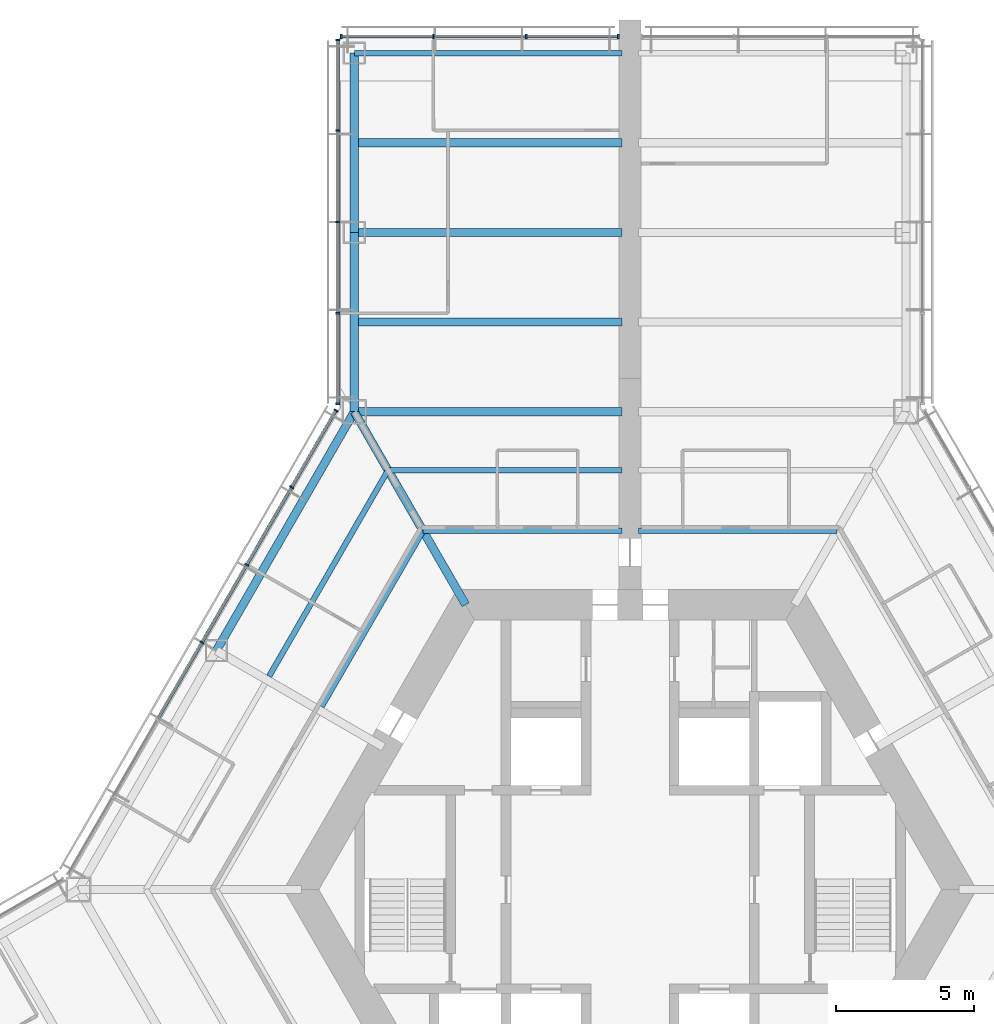
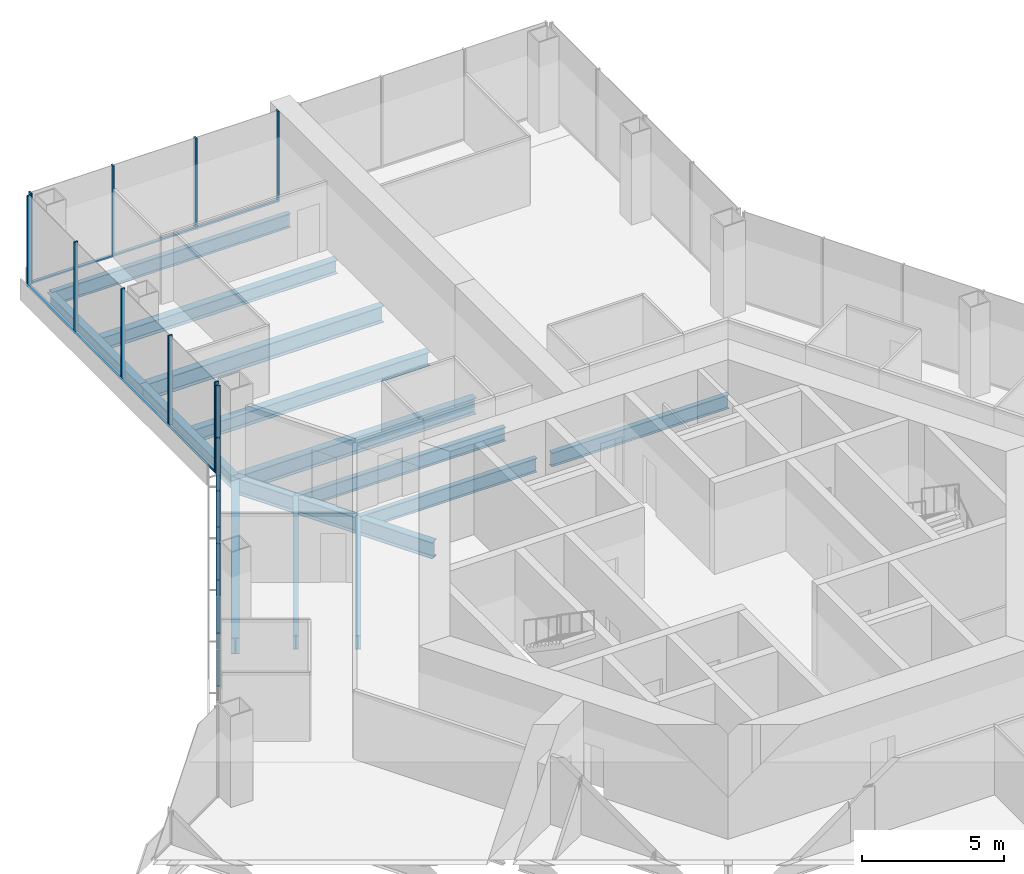
# One storey, part 7 of 18: 24 members, 14 beams, 3 elements without a shape of their own.
"""IFC4 building model written with IfcOpenShell, lengths in metres."""

from ifc_helpers import new_model, si_unit, direction, frame, origin, origin_2d, place, context, subcontext, project, spatial, rectangle, i_section, extrude, material, material_profile, profile_set, type_object, element, aggregate, save


model = new_model("IFC4")

# Units and contexts
model_context = context("Model", 3, precision=1e-05, world=origin(), true_north=direction((0.0, 1.0)))
body_context = subcontext(model_context, "Body", "Model", "MODEL_VIEW")
ifc_project = project(units=[si_unit("LENGTHUNIT", "METRE"), si_unit("AREAUNIT", "SQUARE_METRE"), si_unit("VOLUMEUNIT", "CUBIC_METRE"), si_unit("PLANEANGLEUNIT", "RADIAN"), si_unit("MASSUNIT", "GRAM", prefix="KILO")], contexts=[model_context])

# Site, building, storey
site_placement = place(None, origin())
site = spatial("IfcSite", under=ifc_project, at=site_placement, CompositionType="ELEMENT")
building_placement = place(site_placement, origin())
building = spatial("IfcBuilding", under=site, at=building_placement, Name="Kasaneha Research Tower", CompositionType="ELEMENT")
storey_placement = place(building_placement, frame((0.0, 0.0, 108.0)))
storey = spatial("IfcBuildingStorey", under=building, at=storey_placement, Name="L27", CompositionType="ELEMENT", Elevation=108.0)

# Beams
ifc_material_1 = material(Name="Steel SN490B", Category="steel")
ifc_material_profile_1 = material_profile(ifc_material_1, i_section(OverallWidth=0.199951171875, OverallDepth=0.60009765625, WebThickness=0.010986328125, FlangeThickness=0.01708984375, FilletRadius=0.012939453125, at=origin_2d()), Name="H-600x200x11x17")
ifc_profile_set_1 = profile_set([ifc_material_profile_1], Name="Steel SN490B")
beam_type_1 = type_object("IfcBeamType", Name="B1-3 secondary beam H-600x200x11x17", PredefinedType="JOIST", material=ifc_profile_set_1)
for number, where, z_axis, x_axis, name in (
    (1, (7.505615234375, 13.0, -0.449951171875), (-1.0, 0.0, 0.0), (0.0, -1.0, 0.0), "Secondary beam RS090L1 L27"),
    (2, (-7.505615234375, 13.0, -0.449951171875), (1.0, 0.0, 0.0), (0.0, 1.0, 0.0), "Secondary beam RS090R1 L27"),
):
    element("IfcBeam", number, at=place(storey_placement, frame(where, z_axis=z_axis, x_axis=x_axis)), inside=storey, type_object=beam_type_1, Name=name, PredefinedType="JOIST", context=body_context, shape_type="SweptSolid", body=[
        extrude(i_section(OverallWidth=0.199951171875, OverallDepth=0.60009765625, WebThickness=0.010986328125, FlangeThickness=0.01708984375, FilletRadius=0.012939453125, at=origin_2d()), origin(), (0.0, 0.0, 1.0), 7.20556640625),
    ])
beam_1_placement = place(storey_placement, frame((-8.775634765625, 15.199951171875, -0.449951171875), z_axis=(1.0, 0.0, 0.0), x_axis=(0.0, 1.0, 0.0)))
element("IfcBeam", 3, at=beam_1_placement, inside=storey, type_object=beam_type_1, Name="Secondary beam RS090R2 L27", PredefinedType="JOIST", context=body_context, shape_type="SweptSolid", body=[
    extrude(i_section(OverallWidth=0.199951171875, OverallDepth=0.60009765625, WebThickness=0.010986328125, FlangeThickness=0.01708984375, FilletRadius=0.012939453125, at=origin_2d()), origin(), (0.0, 0.0, 1.0), 8.4755859375),
])
beam_2_placement = place(storey_placement, frame((-7.505615234375, 13.0, -0.449951171875), z_axis=(-0.499994443168, -0.866028611999, 0.0), x_axis=(0.866028611999, -0.499994443168, 0.0)))
element("IfcBeam", 4, at=beam_2_placement, inside=storey, type_object=beam_type_1, Name="Secondary beam RS150L1 L27", PredefinedType="JOIST", context=body_context, shape_type="SweptSolid", body=[
    extrude(i_section(OverallWidth=0.199951171875, OverallDepth=0.60009765625, WebThickness=0.010986328125, FlangeThickness=0.01708984375, FilletRadius=0.012939453125, at=origin_2d()), origin(), (0.0, 0.0, 1.0), 7.35546875),
])
beam_3_placement = place(storey_placement, frame((-8.775634765625, 15.199951171875, -0.449951171875), z_axis=(-0.500017275495, -0.866015429543, 0.0), x_axis=(0.866015429543, -0.500017275495, 0.0)))
element("IfcBeam", 5, at=beam_3_placement, inside=storey, type_object=beam_type_1, Name="Secondary beam RS150L2 L27", PredefinedType="JOIST", context=body_context, shape_type="SweptSolid", body=[
    extrude(i_section(OverallWidth=0.199951171875, OverallDepth=0.60009765625, WebThickness=0.010986328125, FlangeThickness=0.01708984375, FilletRadius=0.012939453125, at=origin_2d()), origin(), (0.0, 0.0, 1.0), 8.625732421875),
])
ifc_material_2 = material(Name="Steel SN490B", Category="steel")
ifc_material_profile_2 = material_profile(ifc_material_2, i_section(OverallWidth=0.300048828125, OverallDepth=0.58203125, WebThickness=0.011962890625, FlangeThickness=0.01708984375, FilletRadius=0.012939453125, at=origin_2d()), Name="H-582x300x12x17")
ifc_profile_set_2 = profile_set([ifc_material_profile_2], Name="Steel SN490B")
beam_type_2 = type_object("IfcBeamType", Name="B2-3 secondary beam H-582x300x12x17", PredefinedType="JOIST", material=ifc_profile_set_2)
for number, where, z_axis, x_axis, name in (
    (6, (-10.0, 20.570556640625, -0.44091796875), (1.0, 0.0, 0.0), (0.0, 1.0, 0.0), "Secondary beam WBAN1 L27"),
    (7, (-10.0, 27.070556640625, -0.44091796875), (1.0, 0.0, 0.0), (0.0, 1.0, 0.0), "Secondary beam WBAN2 L27"),
):
    element("IfcBeam", number, at=place(storey_placement, frame(where, z_axis=z_axis, x_axis=x_axis)), inside=storey, type_object=beam_type_2, Name=name, PredefinedType="JOIST", context=body_context, shape_type="SweptSolid", body=[
        extrude(i_section(OverallWidth=0.300048828125, OverallDepth=0.58203125, WebThickness=0.011962890625, FlangeThickness=0.01708984375, FilletRadius=0.012939453125, at=origin_2d()), origin(), (0.0, 0.0, 1.0), 9.699951171875),
    ])

# Curtain wall, members
ifc_material_3 = material(Name="Glass and aluminium", Category="aluminium")
curtain_wall_type = type_object("IfcCurtainWallType", Name="Low-rise office curtain wall", PredefinedType="USERDEFINED", material=ifc_material_3)
curtain_wall_1_placement = place(storey_placement, origin())
curtain_wall_1 = element("IfcCurtainWall", 8, at=curtain_wall_1_placement, inside=storey, type_object=curtain_wall_type, Name="CW-O1 L27 run 10a", ObjectType="UNITISED CURTAIN WALL", PredefinedType="USERDEFINED")
ifc_material_4 = material(Name="Aluminium 6063-T6", Category="aluminium")
ifc_material_profile_3 = material_profile(ifc_material_4, rectangle(XDim=0.06005859375, YDim=0.159912109375, at=origin_2d()), Name="CW-O1 mullion 60x160")
ifc_profile_set_3 = profile_set([ifc_material_profile_3], Name="Aluminium 6063-T6")
member_type_1 = type_object("IfcMemberType", Name="CW-O1 mullion", PredefinedType="MULLION", material=ifc_profile_set_3)
member_1_placement = place(storey_placement, frame((-0.429931640625, 30.92041015625, 0.0), z_axis=(0.0, 0.0, 1.0), x_axis=(-1.0, 0.0, 0.0)))
member_1 = element("IfcMember", 9, at=member_1_placement, type_object=member_type_1, Name="CW-O1 mullion 1", PredefinedType="MULLION", context=body_context, shape_type="SweptSolid", body=[
    extrude(rectangle(XDim=0.06005859375, YDim=0.159912109375, at=origin_2d()), origin(), (0.0, 0.0, 1.0), 3.89990234375),
])
member_2_placement = place(storey_placement, frame((-3.7666015625, 30.92041015625, 0.0), z_axis=(0.0, 0.0, 1.0), x_axis=(-1.0, 0.0, 0.0)))
member_2 = element("IfcMember", 10, at=member_2_placement, type_object=member_type_1, Name="CW-O1 mullion 2", PredefinedType="MULLION", context=body_context, shape_type="SweptSolid", body=[
    extrude(rectangle(XDim=0.06005859375, YDim=0.159912109375, at=origin_2d()), origin(), (0.0, 0.0, 1.0), 3.89990234375),
])
member_3_placement = place(storey_placement, frame((-7.13330078125, 30.92041015625, 0.0), z_axis=(0.0, 0.0, 1.0), x_axis=(-1.0, 0.0, 0.0)))
member_3 = element("IfcMember", 11, at=member_3_placement, type_object=member_type_1, Name="CW-O1 mullion 3", PredefinedType="MULLION", context=body_context, shape_type="SweptSolid", body=[
    extrude(rectangle(XDim=0.06005859375, YDim=0.159912109375, at=origin_2d()), origin(), (0.0, 0.0, 1.0), 3.89990234375),
])
member_4_placement = place(storey_placement, frame((-10.469970703125, 30.92041015625, 0.0), z_axis=(0.0, 0.0, 1.0), x_axis=(-1.0, 0.0, 0.0)))
member_4 = element("IfcMember", 12, at=member_4_placement, type_object=member_type_1, Name="CW-O1 mullion 4", PredefinedType="MULLION", context=body_context, shape_type="SweptSolid", body=[
    extrude(rectangle(XDim=0.06005859375, YDim=0.159912109375, at=origin_2d()), origin(), (0.0, 0.0, 1.0), 3.89990234375),
])

curtain_wall_2_placement = place(storey_placement, origin())
curtain_wall_2 = element("IfcCurtainWall", 13, at=curtain_wall_2_placement, inside=storey, type_object=curtain_wall_type, Name="CW-O1 L27 run 11a", ObjectType="UNITISED CURTAIN WALL", PredefinedType="USERDEFINED")
member_5_placement = place(storey_placement, frame((-10.60009765625, 30.79052734375, 0.0), z_axis=(0.0, 0.0, 1.0), x_axis=(0.0, -1.0, 0.0)))
member_5 = element("IfcMember", 14, at=member_5_placement, type_object=member_type_1, Name="CW-O1 mullion 1", PredefinedType="MULLION", context=body_context, shape_type="SweptSolid", body=[
    extrude(rectangle(XDim=0.06005859375, YDim=0.159912109375, at=origin_2d()), origin(), (0.0, 0.0, 1.0), 3.89990234375),
])
member_6_placement = place(storey_placement, frame((-10.60009765625, 27.5107421875, 0.0), z_axis=(0.0, 0.0, 1.0), x_axis=(0.0, -1.0, 0.0)))
member_6 = element("IfcMember", 15, at=member_6_placement, type_object=member_type_1, Name="CW-O1 mullion 2", PredefinedType="MULLION", context=body_context, shape_type="SweptSolid", body=[
    extrude(rectangle(XDim=0.06005859375, YDim=0.159912109375, at=origin_2d()), origin(), (0.0, 0.0, 1.0), 3.89990234375),
])
member_7_placement = place(storey_placement, frame((-10.60009765625, 24.200927734375, 0.0), z_axis=(0.0, 0.0, 1.0), x_axis=(0.0, -1.0, 0.0)))
member_7 = element("IfcMember", 16, at=member_7_placement, type_object=member_type_1, Name="CW-O1 mullion 3", PredefinedType="MULLION", context=body_context, shape_type="SweptSolid", body=[
    extrude(rectangle(XDim=0.06005859375, YDim=0.159912109375, at=origin_2d()), origin(), (0.0, 0.0, 1.0), 3.89990234375),
])
member_8_placement = place(storey_placement, frame((-10.60009765625, 20.89111328125, 0.0), z_axis=(0.0, 0.0, 1.0), x_axis=(0.0, -1.0, 0.0)))
member_8 = element("IfcMember", 17, at=member_8_placement, type_object=member_type_1, Name="CW-O1 mullion 4", PredefinedType="MULLION", context=body_context, shape_type="SweptSolid", body=[
    extrude(rectangle(XDim=0.06005859375, YDim=0.159912109375, at=origin_2d()), origin(), (0.0, 0.0, 1.0), 3.89990234375),
])
member_9_placement = place(storey_placement, frame((-10.60009765625, 17.611328125, 0.0), z_axis=(0.0, 0.0, 1.0), x_axis=(0.0, -1.0, 0.0)))
member_9 = element("IfcMember", 18, at=member_9_placement, type_object=member_type_1, Name="CW-O1 mullion 5", PredefinedType="MULLION", context=body_context, shape_type="SweptSolid", body=[
    extrude(rectangle(XDim=0.06005859375, YDim=0.159912109375, at=origin_2d()), origin(), (0.0, 0.0, 1.0), 3.89990234375),
])

curtain_wall_3_placement = place(storey_placement, origin())
curtain_wall_3 = element("IfcCurtainWall", 19, at=curtain_wall_3_placement, inside=storey, type_object=curtain_wall_type, Name="CW-O1 L27 run 12a", ObjectType="UNITISED CURTAIN WALL", PredefinedType="USERDEFINED")
member_10_placement = place(storey_placement, frame((-10.6650390625, 17.36865234375, 0.0), z_axis=(0.0, 0.0, 1.0), x_axis=(-0.49999996188, -0.866025425793, 0.0)))
member_10 = element("IfcMember", 20, at=member_10_placement, type_object=member_type_1, Name="CW-O1 mullion 1", PredefinedType="MULLION", context=body_context, shape_type="SweptSolid", body=[
    extrude(rectangle(XDim=0.06005859375, YDim=0.159912109375, at=origin_2d()), origin(), (0.0, 0.0, 1.0), 3.89990234375),
])
member_11_placement = place(storey_placement, frame((-12.273193359375, 14.583251953125, 0.0), z_axis=(0.0, 0.0, 1.0), x_axis=(-0.49999996188, -0.866025425793, 0.0)))
member_11 = element("IfcMember", 21, at=member_11_placement, type_object=member_type_1, Name="CW-O1 mullion 2", PredefinedType="MULLION", context=body_context, shape_type="SweptSolid", body=[
    extrude(rectangle(XDim=0.06005859375, YDim=0.159912109375, at=origin_2d()), origin(), (0.0, 0.0, 1.0), 3.89990234375),
])
member_12_placement = place(storey_placement, frame((-13.896484375, 11.771728515625, 0.0), z_axis=(0.0, 0.0, 1.0), x_axis=(-0.49999996188, -0.866025425793, 0.0)))
member_12 = element("IfcMember", 22, at=member_12_placement, type_object=member_type_1, Name="CW-O1 mullion 3", PredefinedType="MULLION", context=body_context, shape_type="SweptSolid", body=[
    extrude(rectangle(XDim=0.06005859375, YDim=0.159912109375, at=origin_2d()), origin(), (0.0, 0.0, 1.0), 3.89990234375),
])
member_13_placement = place(storey_placement, frame((-15.51953125, 8.960205078125, 0.0), z_axis=(0.0, 0.0, 1.0), x_axis=(-0.49999996188, -0.866025425793, 0.0)))
member_13 = element("IfcMember", 23, at=member_13_placement, type_object=member_type_1, Name="CW-O1 mullion 4", PredefinedType="MULLION", context=body_context, shape_type="SweptSolid", body=[
    extrude(rectangle(XDim=0.06005859375, YDim=0.159912109375, at=origin_2d()), origin(), (0.0, 0.0, 1.0), 3.89990234375),
])

# Member
ifc_material_5 = material(Name="Aluminium 6063-T6", Category="aluminium")
ifc_material_profile_4 = material_profile(ifc_material_5, rectangle(XDim=0.1201171875, YDim=0.06005859375, at=origin_2d()), Name="CW-O1 transom 120x60")
ifc_profile_set_4 = profile_set([ifc_material_profile_4], Name="Aluminium 6063-T6")
member_type_2 = type_object("IfcMemberType", Name="CW-O1 transom", PredefinedType="USERDEFINED", material=ifc_profile_set_4)
member_14_placement = place(storey_placement, frame((-0.4599609375, 30.92041015625, 0.030029296875), z_axis=(-1.0, 0.0, 0.0), x_axis=(0.0, -1.0, 0.0)))
member_14 = element("IfcMember", 24, at=member_14_placement, type_object=member_type_2, Name="CW-O1 transom 1", ObjectType="TRANSOM", PredefinedType="USERDEFINED", context=body_context, shape_type="SweptSolid", body=[
    extrude(rectangle(XDim=0.1201171875, YDim=0.06005859375, at=origin_2d()), origin(), (0.0, 0.0, 1.0), 3.276611328125),
])

member_15_placement = place(storey_placement, frame((-3.796630859375, 30.92041015625, 0.030029296875), z_axis=(-1.0, 0.0, 0.0), x_axis=(0.0, -1.0, 0.0)))
member_15 = element("IfcMember", 25, at=member_15_placement, type_object=member_type_2, Name="CW-O1 transom 2", ObjectType="TRANSOM", PredefinedType="USERDEFINED", context=body_context, shape_type="SweptSolid", body=[
    extrude(rectangle(XDim=0.1201171875, YDim=0.06005859375, at=origin_2d()), origin(), (0.0, 0.0, 1.0), 3.306640625),
])

member_16_placement = place(storey_placement, frame((-7.163330078125, 30.92041015625, 0.030029296875), z_axis=(-1.0, 0.0, 0.0), x_axis=(0.0, -1.0, 0.0)))
member_16 = element("IfcMember", 26, at=member_16_placement, type_object=member_type_2, Name="CW-O1 transom 3", ObjectType="TRANSOM", PredefinedType="USERDEFINED", context=body_context, shape_type="SweptSolid", body=[
    extrude(rectangle(XDim=0.1201171875, YDim=0.06005859375, at=origin_2d()), origin(), (0.0, 0.0, 1.0), 3.276611328125),
])

aggregate(curtain_wall_1, [member_1, member_2, member_3, member_4, member_14, member_15, member_16])

member_17_placement = place(storey_placement, frame((-10.60009765625, 30.760498046875, 0.030029296875), z_axis=(0.0, -1.0, 0.0), x_axis=(1.0, 0.0, 0.0)))
member_17 = element("IfcMember", 27, at=member_17_placement, type_object=member_type_2, Name="CW-O1 transom 1", ObjectType="TRANSOM", PredefinedType="USERDEFINED", context=body_context, shape_type="SweptSolid", body=[
    extrude(rectangle(XDim=0.1201171875, YDim=0.06005859375, at=origin_2d()), origin(), (0.0, 0.0, 1.0), 3.2197265625),
])

member_18_placement = place(storey_placement, frame((-10.60009765625, 27.480712890625, 0.030029296875), z_axis=(0.0, -1.0, 0.0), x_axis=(1.0, 0.0, 0.0)))
member_18 = element("IfcMember", 28, at=member_18_placement, type_object=member_type_2, Name="CW-O1 transom 2", ObjectType="TRANSOM", PredefinedType="USERDEFINED", context=body_context, shape_type="SweptSolid", body=[
    extrude(rectangle(XDim=0.1201171875, YDim=0.06005859375, at=origin_2d()), origin(), (0.0, 0.0, 1.0), 3.249755859375),
])

member_19_placement = place(storey_placement, frame((-10.60009765625, 24.1708984375, 0.030029296875), z_axis=(0.0, -1.0, 0.0), x_axis=(1.0, 0.0, 0.0)))
member_19 = element("IfcMember", 29, at=member_19_placement, type_object=member_type_2, Name="CW-O1 transom 3", ObjectType="TRANSOM", PredefinedType="USERDEFINED", context=body_context, shape_type="SweptSolid", body=[
    extrude(rectangle(XDim=0.1201171875, YDim=0.06005859375, at=origin_2d()), origin(), (0.0, 0.0, 1.0), 3.249755859375),
])

member_20_placement = place(storey_placement, frame((-10.60009765625, 20.861083984375, 0.030029296875), z_axis=(0.0, -1.0, 0.0), x_axis=(1.0, 0.0, 0.0)))
member_20 = element("IfcMember", 30, at=member_20_placement, type_object=member_type_2, Name="CW-O1 transom 4", ObjectType="TRANSOM", PredefinedType="USERDEFINED", context=body_context, shape_type="SweptSolid", body=[
    extrude(rectangle(XDim=0.1201171875, YDim=0.06005859375, at=origin_2d()), origin(), (0.0, 0.0, 1.0), 3.2197265625),
])

aggregate(curtain_wall_2, [member_5, member_6, member_7, member_8, member_9, member_17, member_18, member_19, member_20])

member_21_placement = place(storey_placement, frame((-10.679931640625, 17.3427734375, 0.030029296875), z_axis=(-0.500023726918, -0.866011704609, 0.0), x_axis=(0.866011704609, -0.500023726918, 0.0)))
member_21 = element("IfcMember", 31, at=member_21_placement, type_object=member_type_2, Name="CW-O1 transom 1", ObjectType="TRANSOM", PredefinedType="USERDEFINED", context=body_context, shape_type="SweptSolid", body=[
    extrude(rectangle(XDim=0.1201171875, YDim=0.06005859375, at=origin_2d()), origin(), (0.0, 0.0, 1.0), 3.156494140625),
])

member_22_placement = place(storey_placement, frame((-12.2880859375, 14.55712890625, 0.030029296875), z_axis=(-0.500012062035, -0.866018439653, 0.0), x_axis=(0.866018439653, -0.500012062035, 0.0)))
member_22 = element("IfcMember", 32, at=member_22_placement, type_object=member_type_2, Name="CW-O1 transom 2", ObjectType="TRANSOM", PredefinedType="USERDEFINED", context=body_context, shape_type="SweptSolid", body=[
    extrude(rectangle(XDim=0.1201171875, YDim=0.06005859375, at=origin_2d()), origin(), (0.0, 0.0, 1.0), 3.1865234375),
])

member_23_placement = place(storey_placement, frame((-13.911376953125, 11.745849609375, 0.030029296875), z_axis=(-0.500012062035, -0.866018439653, 0.0), x_axis=(0.866018439653, -0.500012062035, 0.0)))
member_23 = element("IfcMember", 33, at=member_23_placement, type_object=member_type_2, Name="CW-O1 transom 3", ObjectType="TRANSOM", PredefinedType="USERDEFINED", context=body_context, shape_type="SweptSolid", body=[
    extrude(rectangle(XDim=0.1201171875, YDim=0.06005859375, at=origin_2d()), origin(), (0.0, 0.0, 1.0), 3.1865234375),
])

member_24_placement = place(storey_placement, frame((-15.53466796875, 8.934326171875, 0.030029296875), z_axis=(-0.500012062035, -0.866018439653, 0.0), x_axis=(0.866018439653, -0.500012062035, 0.0)))
member_24 = element("IfcMember", 34, at=member_24_placement, type_object=member_type_2, Name="CW-O1 transom 4", ObjectType="TRANSOM", PredefinedType="USERDEFINED", context=body_context, shape_type="SweptSolid", body=[
    extrude(rectangle(XDim=0.1201171875, YDim=0.06005859375, at=origin_2d()), origin(), (0.0, 0.0, 1.0), 3.1865234375),
])

aggregate(curtain_wall_3, [member_10, member_11, member_12, member_13, member_21, member_22, member_23, member_24])

# Beams
ifc_material_6 = material(Name="Steel SN490B", Category="steel")
ifc_material_profile_5 = material_profile(ifc_material_6, i_section(OverallWidth=0.300048828125, OverallDepth=0.699951171875, WebThickness=0.012939453125, FlangeThickness=0.02392578125, FilletRadius=0.01806640625, at=origin_2d()), Name="H-700x300x13x24")
ifc_profile_set_5 = profile_set([ifc_material_profile_5], Name="Steel SN490B")
beam_type_3 = type_object("IfcBeamType", Name="G1-3 radial girder H-700x300x13x24", PredefinedType="BEAM", material=ifc_profile_set_5)
beam_4_placement = place(storey_placement, frame((-5.961181640625, 10.324951171875, -0.5), z_axis=(-0.49999105496, 0.866030568144, 0.0), x_axis=(-0.866030568144, -0.49999105496, 0.0)))
element("IfcBeam", 35, at=beam_4_placement, inside=storey, type_object=beam_type_3, Name="Radial girder RV120 L27", PredefinedType="BEAM", context=body_context, shape_type="SweptSolid", body=[
    extrude(i_section(OverallWidth=0.300048828125, OverallDepth=0.699951171875, WebThickness=0.012939453125, FlangeThickness=0.02392578125, FilletRadius=0.01806640625, at=origin_2d()), origin(), (0.0, 0.0, 1.0), 8.077880859375),
])
ifc_material_7 = material(Name="Steel SN490B", Category="steel")
ifc_material_profile_6 = material_profile(ifc_material_7, i_section(OverallWidth=0.300048828125, OverallDepth=0.69189453125, WebThickness=0.012939453125, FlangeThickness=0.02001953125, FilletRadius=0.01806640625, at=origin_2d()), Name="H-692x300x13x20")
ifc_profile_set_6 = profile_set([ifc_material_profile_6], Name="Steel SN490B")
beam_type_4 = type_object("IfcBeamType", Name="G3-3 plate edge girder H-692x300x13x20", PredefinedType="BEAM", material=ifc_profile_set_6)
beam_5_placement = place(storey_placement, frame((-10.0, 17.320556640625, -0.49609375), z_axis=(1.0, 0.0, 0.0), x_axis=(0.0, 1.0, 0.0)))
element("IfcBeam", 36, at=beam_5_placement, inside=storey, type_object=beam_type_4, Name="Plate edge girder PEAN L27", PredefinedType="BEAM", context=body_context, shape_type="SweptSolid", body=[
    extrude(i_section(OverallWidth=0.300048828125, OverallDepth=0.69189453125, WebThickness=0.012939453125, FlangeThickness=0.02001953125, FilletRadius=0.01806640625, at=origin_2d()), origin(), (0.0, 0.0, 1.0), 9.699951171875),
])
ifc_material_8 = material(Name="Steel SN490B", Category="steel")
ifc_material_profile_7 = material_profile(ifc_material_8, i_section(OverallWidth=0.300048828125, OverallDepth=0.699951171875, WebThickness=0.012939453125, FlangeThickness=0.02392578125, FilletRadius=0.01806640625, at=origin_2d()), Name="H-700x300x13x24")
ifc_profile_set_7 = profile_set([ifc_material_profile_7], Name="Steel SN490B")
beam_type_5 = type_object("IfcBeamType", Name="G4-3 wing girder H-700x300x13x24", PredefinedType="BEAM", material=ifc_profile_set_7)
beam_6_placement = place(storey_placement, frame((-10.0, 23.820556640625, -0.5), z_axis=(1.0, 0.0, 0.0), x_axis=(0.0, 1.0, 0.0)))
element("IfcBeam", 37, at=beam_6_placement, inside=storey, type_object=beam_type_5, Name="Wing girder WGAN L27", PredefinedType="BEAM", context=body_context, shape_type="SweptSolid", body=[
    extrude(i_section(OverallWidth=0.300048828125, OverallDepth=0.699951171875, WebThickness=0.012939453125, FlangeThickness=0.02392578125, FilletRadius=0.01806640625, at=origin_2d()), origin(), (0.0, 0.0, 1.0), 9.699951171875),
])
ifc_material_9 = material(Name="Steel SN490B", Category="steel")
ifc_material_profile_8 = material_profile(ifc_material_9, i_section(OverallWidth=0.300048828125, OverallDepth=0.69189453125, WebThickness=0.012939453125, FlangeThickness=0.02001953125, FilletRadius=0.01806640625, at=origin_2d()), Name="H-692x300x13x20")
ifc_profile_set_8 = profile_set([ifc_material_profile_8], Name="Steel SN490B")
beam_type_6 = type_object("IfcBeamType", Name="SB1-3 spandrel beam H-692x300x13x20", PredefinedType="SPANDREL", material=ifc_profile_set_8)
beam_7_placement = place(storey_placement, frame((-10.0, 17.320556640625, -0.49609375), z_axis=(-0.499993662806, -0.866029062534, 0.0), x_axis=(0.866029062534, -0.499993662806, 0.0)))
element("IfcBeam", 38, at=beam_7_placement, inside=storey, type_object=beam_type_6, Name="Spandrel beam SR150L L27", PredefinedType="SPANDREL", context=body_context, shape_type="SweptSolid", body=[
    extrude(i_section(OverallWidth=0.300048828125, OverallDepth=0.69189453125, WebThickness=0.012939453125, FlangeThickness=0.02001953125, FilletRadius=0.01806640625, at=origin_2d()), origin(), (0.0, 0.0, 1.0), 10.000244140625),
])
ifc_material_10 = material(Name="Steel SN490B", Category="steel")
ifc_material_profile_9 = material_profile(ifc_material_10, i_section(OverallWidth=0.300048828125, OverallDepth=0.58203125, WebThickness=0.011962890625, FlangeThickness=0.01708984375, FilletRadius=0.012939453125, at=origin_2d()), Name="H-582x300x12x17")
ifc_profile_set_9 = profile_set([ifc_material_profile_9], Name="Steel SN490B")
beam_type_7 = type_object("IfcBeamType", Name="SB2-3 spandrel beam H-582x300x12x17", PredefinedType="SPANDREL", material=ifc_profile_set_9)
for number, where, z_axis, x_axis, name in (
    (39, (-10.0, 17.320556640625, -0.44091796875), (0.0, 1.0, 0.0), (-1.0, 0.0, 0.0), "Spandrel beam WSAN1 L27"),
    (40, (-10.0, 23.820556640625, -0.44091796875), (0.0, 1.0, 0.0), (-1.0, 0.0, 0.0), "Spandrel beam WSAN2 L27"),
):
    element("IfcBeam", number, at=place(storey_placement, frame(where, z_axis=z_axis, x_axis=x_axis)), inside=storey, type_object=beam_type_7, Name=name, PredefinedType="SPANDREL", context=body_context, shape_type="SweptSolid", body=[
        extrude(i_section(OverallWidth=0.300048828125, OverallDepth=0.58203125, WebThickness=0.011962890625, FlangeThickness=0.01708984375, FilletRadius=0.012939453125, at=origin_2d()), origin(), (0.0, 0.0, 1.0), 6.5),
    ])
ifc_material_11 = material(Name="Steel SN490B", Category="steel")
ifc_material_profile_10 = material_profile(ifc_material_11, i_section(OverallWidth=0.199951171875, OverallDepth=0.60009765625, WebThickness=0.010986328125, FlangeThickness=0.01708984375, FilletRadius=0.012939453125, at=origin_2d()), Name="H-600x200x11x17")
ifc_profile_set_10 = profile_set([ifc_material_profile_10], Name="Steel SN490B")
beam_type_8 = type_object("IfcBeamType", Name="SB3-3 spandrel beam H-600x200x11x17", PredefinedType="SPANDREL", material=ifc_profile_set_10)
beam_8_placement = place(storey_placement, frame((-10.0, 30.320556640625, -0.449951171875), z_axis=(1.0, 0.0, 0.0), x_axis=(0.0, 1.0, 0.0)))
element("IfcBeam", 41, at=beam_8_placement, inside=storey, type_object=beam_type_8, Name="Spandrel beam WTAN L27", PredefinedType="SPANDREL", context=body_context, shape_type="SweptSolid", body=[
    extrude(i_section(OverallWidth=0.199951171875, OverallDepth=0.60009765625, WebThickness=0.010986328125, FlangeThickness=0.01708984375, FilletRadius=0.012939453125, at=origin_2d()), origin(), (0.0, 0.0, 1.0), 9.699951171875),
])

save(model, "model.ifc")
